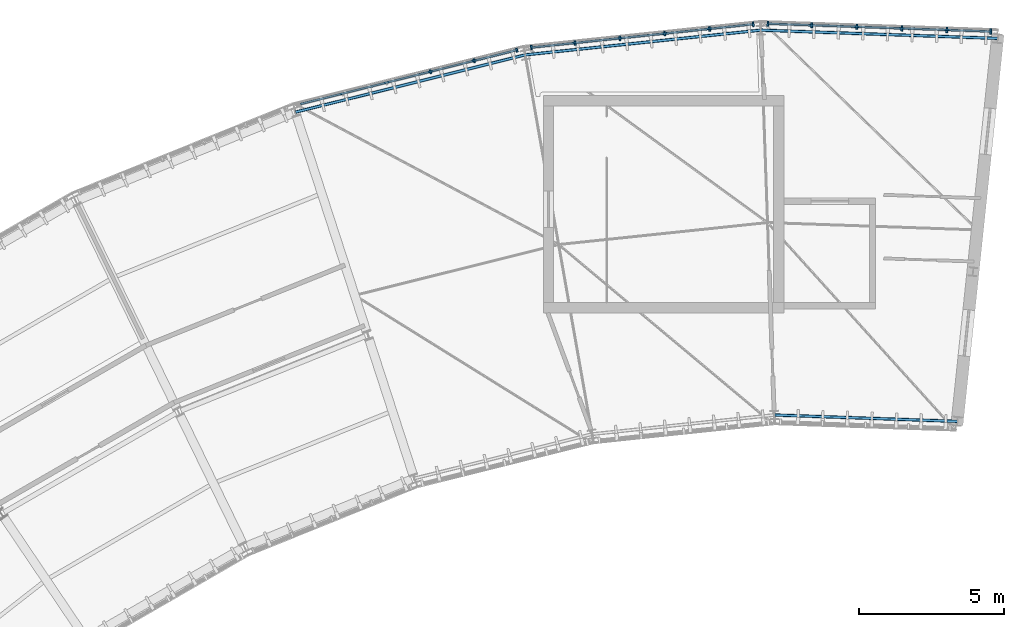
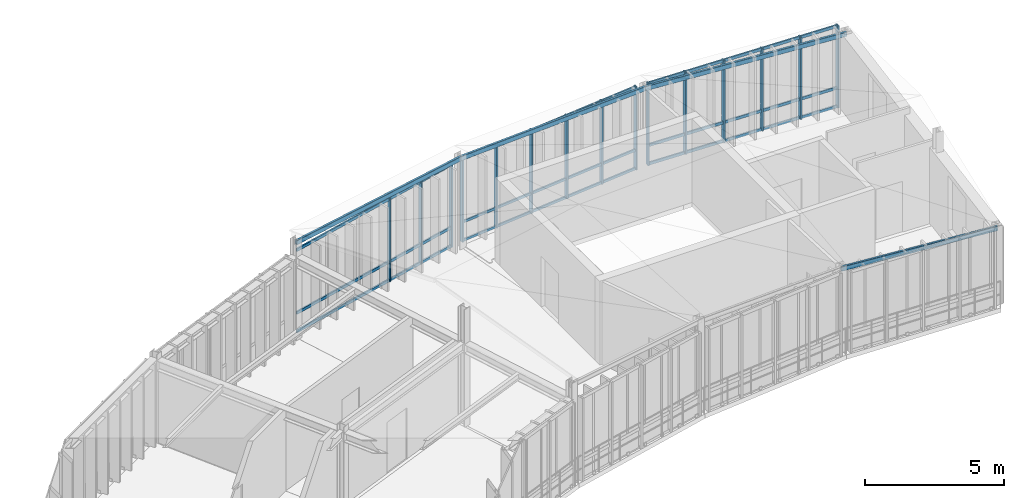
# One storey, part 15 of 42: 28 members, 3 elements without a shape of their own.
"""IFC4 building model written with IfcOpenShell, lengths in metres."""

from ifc_helpers import new_model, si_unit, direction, frame, origin, origin_2d, place, context, subcontext, project, spatial, rectangle, hollow_rectangle, extrude, material, layer, layer_set, material_profile, profile_set, type_object, element, aggregate, save


model = new_model("IFC4")

# Units and contexts
model_context = context("Model", 3, precision=1e-05, world=origin(), true_north=direction((0.0, 1.0)))
body_context = subcontext(model_context, "Body", "Model", "MODEL_VIEW")
ifc_project = project(units=[si_unit("LENGTHUNIT", "METRE"), si_unit("AREAUNIT", "SQUARE_METRE"), si_unit("VOLUMEUNIT", "CUBIC_METRE"), si_unit("PLANEANGLEUNIT", "RADIAN"), si_unit("MASSUNIT", "GRAM", prefix="KILO"), si_unit("THERMODYNAMICTEMPERATUREUNIT", "KELVIN"), si_unit("POWERUNIT", "WATT")], contexts=[model_context])

# Site, building, storey
site_placement = place(None, origin())
site = spatial("IfcSite", under=ifc_project, at=site_placement, CompositionType="ELEMENT")
building_placement = place(site_placement, origin())
building = spatial("IfcBuilding", under=site, at=building_placement, Name="Solvatero Civic Police Headquarters", CompositionType="ELEMENT")
storey_placement = place(building_placement, frame((0.0, 0.0, 21.60009765625)))
storey = spatial("IfcBuildingStorey", under=building, at=storey_placement, Name="L05", CompositionType="ELEMENT", Elevation=21.60009765625)

# Curtain wall, members
ifc_material_1 = material(Name="Anodized Bronze Aluminium", Category="aluminium")
ifc_layer = layer(ifc_material_1, 0.179931640625)
ifc_layer_set = layer_set([ifc_layer], Name="Anodized Bronze Aluminium")
curtain_wall_type = type_object("IfcCurtainWallType", Name="CW-ARC-OUT", PredefinedType="USERDEFINED", material=ifc_layer_set)
curtain_wall_1_placement = place(storey_placement, origin())
curtain_wall_1 = element("IfcCurtainWall", 1, at=curtain_wall_1_placement, inside=storey, type_object=curtain_wall_type, Name="Curtain Wall CW-R2-L05-ARC-OUT-B03", ObjectType="UNITISED", PredefinedType="USERDEFINED")
ifc_material_profile_1 = material_profile(ifc_material_1, rectangle(XDim=0.06005859375, YDim=0.139892578125, at=origin_2d()), Name="ALU MULLION 60x140")
ifc_profile_set_1 = profile_set([ifc_material_profile_1], Name="Anodized Bronze Aluminium")
member_type_1 = type_object("IfcMemberType", Name="CWM-160x65", PredefinedType="MULLION", material=ifc_profile_set_1)
member_1_placement = place(storey_placement, frame((83.527099609375, 83.923583984375, 0.0), z_axis=(0.0, 0.0, 1.0), x_axis=(-0.970295726276, -0.2419218956, 0.0)))
member_1 = element("IfcMember", 2, at=member_1_placement, type_object=member_type_1, Name="CW-R2-L05-ARC-OUT-B03 Mullion 1", PredefinedType="MULLION", context=body_context, shape_type="SweptSolid", body=[
    extrude(rectangle(XDim=0.06005859375, YDim=0.139892578125, at=origin_2d()), origin(), (0.0, 0.0, 1.0), 3.639892578125),
])
member_2_placement = place(storey_placement, frame((82.0537109375, 83.55615234375, 0.0), z_axis=(0.0, 0.0, 1.0), x_axis=(-0.970295726276, -0.2419218956, 0.0)))
member_2 = element("IfcMember", 3, at=member_2_placement, type_object=member_type_1, Name="CW-R2-L05-ARC-OUT-B03 Mullion 2", PredefinedType="MULLION", context=body_context, shape_type="SweptSolid", body=[
    extrude(rectangle(XDim=0.06005859375, YDim=0.139892578125, at=origin_2d()), origin(), (0.0, 0.0, 1.0), 3.639892578125),
])
member_3_placement = place(storey_placement, frame((80.54150390625, 83.17919921875, 0.0), z_axis=(0.0, 0.0, 1.0), x_axis=(-0.970295726276, -0.2419218956, 0.0)))
member_3 = element("IfcMember", 4, at=member_3_placement, type_object=member_type_1, Name="CW-R2-L05-ARC-OUT-B03 Mullion 3", PredefinedType="MULLION", context=body_context, shape_type="SweptSolid", body=[
    extrude(rectangle(XDim=0.06005859375, YDim=0.139892578125, at=origin_2d()), origin(), (0.0, 0.0, 1.0), 3.639892578125),
])

curtain_wall_2_placement = place(storey_placement, origin())
curtain_wall_2 = element("IfcCurtainWall", 5, at=curtain_wall_2_placement, inside=storey, type_object=curtain_wall_type, Name="Curtain Wall CW-R2-L05-ARC-OUT-B02", ObjectType="UNITISED", PredefinedType="USERDEFINED")
ifc_material_profile_2 = material_profile(ifc_material_1, rectangle(XDim=0.06005859375, YDim=0.159912109375, at=origin_2d()), Name="ALU MULLION 60x160")
ifc_profile_set_2 = profile_set([ifc_material_profile_2], Name="Anodized Bronze Aluminium")
member_type_2 = type_object("IfcMemberType", Name="CWM-180x70", PredefinedType="MULLION", material=ifc_profile_set_2)
member_4_placement = place(storey_placement, frame((91.6904296875, 84.8173828125, 0.0), z_axis=(0.0, 0.0, 1.0), x_axis=(-0.994523719583, -0.10451110557, 0.0)))
member_4 = element("IfcMember", 6, at=member_4_placement, type_object=member_type_2, Name="CW-R2-L05-ARC-OUT-B02 Mullion 1", PredefinedType="MULLION", context=body_context, shape_type="SweptSolid", body=[
    extrude(rectangle(XDim=0.06005859375, YDim=0.159912109375, at=origin_2d()), origin(), (0.0, 0.0, 1.0), 3.639892578125),
])
member_5_placement = place(storey_placement, frame((90.18212890625, 84.65869140625, 0.0), z_axis=(0.0, 0.0, 1.0), x_axis=(-0.994523719583, -0.10451110557, 0.0)))
member_5 = element("IfcMember", 7, at=member_5_placement, type_object=member_type_2, Name="CW-R2-L05-ARC-OUT-B02 Mullion 2", PredefinedType="MULLION", context=body_context, shape_type="SweptSolid", body=[
    extrude(rectangle(XDim=0.06005859375, YDim=0.159912109375, at=origin_2d()), origin(), (0.0, 0.0, 1.0), 3.639892578125),
])
member_6_placement = place(storey_placement, frame((88.63427734375, 84.49609375, 0.0), z_axis=(0.0, 0.0, 1.0), x_axis=(-0.994523719583, -0.10451110557, 0.0)))
member_6 = element("IfcMember", 8, at=member_6_placement, type_object=member_type_2, Name="CW-R2-L05-ARC-OUT-B02 Mullion 3", PredefinedType="MULLION", context=body_context, shape_type="SweptSolid", body=[
    extrude(rectangle(XDim=0.06005859375, YDim=0.159912109375, at=origin_2d()), origin(), (0.0, 0.0, 1.0), 3.639892578125),
])
member_7_placement = place(storey_placement, frame((87.086181640625, 84.33349609375, 0.0), z_axis=(0.0, 0.0, 1.0), x_axis=(-0.994523719583, -0.10451110557, 0.0)))
member_7 = element("IfcMember", 9, at=member_7_placement, type_object=member_type_2, Name="CW-R2-L05-ARC-OUT-B02 Mullion 4", PredefinedType="MULLION", context=body_context, shape_type="SweptSolid", body=[
    extrude(rectangle(XDim=0.06005859375, YDim=0.159912109375, at=origin_2d()), origin(), (0.0, 0.0, 1.0), 3.639892578125),
])
member_8_placement = place(storey_placement, frame((85.538330078125, 84.170654296875, 0.0), z_axis=(0.0, 0.0, 1.0), x_axis=(-0.994523719583, -0.10451110557, 0.0)))
member_8 = element("IfcMember", 10, at=member_8_placement, type_object=member_type_2, Name="CW-R2-L05-ARC-OUT-B02 Mullion 5", PredefinedType="MULLION", context=body_context, shape_type="SweptSolid", body=[
    extrude(rectangle(XDim=0.06005859375, YDim=0.159912109375, at=origin_2d()), origin(), (0.0, 0.0, 1.0), 3.639892578125),
])
member_9_placement = place(storey_placement, frame((84.0302734375, 84.01220703125, 0.0), z_axis=(0.0, 0.0, 1.0), x_axis=(-0.994523719583, -0.10451110557, 0.0)))
member_9 = element("IfcMember", 11, at=member_9_placement, type_object=member_type_2, Name="CW-R2-L05-ARC-OUT-B02 Mullion 6", PredefinedType="MULLION", context=body_context, shape_type="SweptSolid", body=[
    extrude(rectangle(XDim=0.06005859375, YDim=0.159912109375, at=origin_2d()), origin(), (0.0, 0.0, 1.0), 3.639892578125),
])

curtain_wall_3_placement = place(storey_placement, origin())
curtain_wall_3 = element("IfcCurtainWall", 12, at=curtain_wall_3_placement, inside=storey, type_object=curtain_wall_type, Name="Curtain Wall CW-R2-L05-ARC-OUT-B01", ObjectType="UNITISED", PredefinedType="USERDEFINED")
ifc_material_profile_3 = material_profile(ifc_material_1, rectangle(XDim=0.06494140625, YDim=0.179931640625, at=origin_2d()), Name="ALU MULLION 65x180")
ifc_profile_set_3 = profile_set([ifc_material_profile_3], Name="Anodized Bronze Aluminium")
member_type_3 = type_object("IfcMemberType", Name="CWM-200x75", PredefinedType="MULLION", material=ifc_profile_set_3)
member_10_placement = place(storey_placement, frame((99.898681640625, 84.56640625, 0.0), z_axis=(0.0, 0.0, 1.0), x_axis=(-0.999390217756, 0.034916939358, 0.0)))
member_10 = element("IfcMember", 13, at=member_10_placement, type_object=member_type_3, Name="CW-R2-L05-ARC-OUT-B01 Mullion 1", PredefinedType="MULLION", context=body_context, shape_type="SweptSolid", body=[
    extrude(rectangle(XDim=0.06494140625, YDim=0.179931640625, at=origin_2d()), origin(), (0.0, 0.0, 1.0), 3.590576171875),
])
member_11_placement = place(storey_placement, frame((98.38330078125, 84.619140625, 0.0), z_axis=(0.0, 0.0, 1.0), x_axis=(-0.999390217756, 0.034916939358, 0.0)))
member_11 = element("IfcMember", 14, at=member_11_placement, type_object=member_type_3, Name="CW-R2-L05-ARC-OUT-B01 Mullion 2", PredefinedType="MULLION", context=body_context, shape_type="SweptSolid", body=[
    extrude(rectangle(XDim=0.06494140625, YDim=0.179931640625, at=origin_2d()), origin(), (0.0, 0.0, 1.0), 3.590576171875),
])
member_12_placement = place(storey_placement, frame((96.82763671875, 84.673583984375, 0.0), z_axis=(0.0, 0.0, 1.0), x_axis=(-0.999390217756, 0.034916939358, 0.0)))
member_12 = element("IfcMember", 15, at=member_12_placement, type_object=member_type_3, Name="CW-R2-L05-ARC-OUT-B01 Mullion 3", PredefinedType="MULLION", context=body_context, shape_type="SweptSolid", body=[
    extrude(rectangle(XDim=0.06494140625, YDim=0.179931640625, at=origin_2d()), origin(), (0.0, 0.0, 1.0), 3.590576171875),
])
member_13_placement = place(storey_placement, frame((95.272216796875, 84.727783203125, 0.0), z_axis=(0.0, 0.0, 1.0), x_axis=(-0.999390217756, 0.034916939358, 0.0)))
member_13 = element("IfcMember", 16, at=member_13_placement, type_object=member_type_3, Name="CW-R2-L05-ARC-OUT-B01 Mullion 4", PredefinedType="MULLION", context=body_context, shape_type="SweptSolid", body=[
    extrude(rectangle(XDim=0.06494140625, YDim=0.179931640625, at=origin_2d()), origin(), (0.0, 0.0, 1.0), 3.590576171875),
])
member_14_placement = place(storey_placement, frame((93.716552734375, 84.7822265625, 0.0), z_axis=(0.0, 0.0, 1.0), x_axis=(-0.999390217756, 0.034916939358, 0.0)))
member_14 = element("IfcMember", 17, at=member_14_placement, type_object=member_type_3, Name="CW-R2-L05-ARC-OUT-B01 Mullion 5", PredefinedType="MULLION", context=body_context, shape_type="SweptSolid", body=[
    extrude(rectangle(XDim=0.06494140625, YDim=0.179931640625, at=origin_2d()), origin(), (0.0, 0.0, 1.0), 3.590576171875),
])
member_15_placement = place(storey_placement, frame((92.200927734375, 84.835205078125, 0.0), z_axis=(0.0, 0.0, 1.0), x_axis=(-0.999390217756, 0.034916939358, 0.0)))
member_15 = element("IfcMember", 18, at=member_15_placement, type_object=member_type_3, Name="CW-R2-L05-ARC-OUT-B01 Mullion 6", PredefinedType="MULLION", context=body_context, shape_type="SweptSolid", body=[
    extrude(rectangle(XDim=0.06494140625, YDim=0.179931640625, at=origin_2d()), origin(), (0.0, 0.0, 1.0), 3.590576171875),
])

# Member
ifc_material_profile_4 = material_profile(ifc_material_1, rectangle(XDim=0.06005859375, YDim=0.110107421875, at=origin_2d()), Name="ALU TRANSOM 60x110")
ifc_profile_set_4 = profile_set([ifc_material_profile_4], Name="Anodized Bronze Aluminium")
member_type_4 = type_object("IfcMemberType", Name="CWT-140x60", PredefinedType="USERDEFINED", material=ifc_profile_set_4)
member_16_placement = place(storey_placement, frame((91.680419921875, 84.81640625, 0.039794921875), z_axis=(-0.994519374575, -0.104552444236, 0.0), x_axis=(0.104552444236, -0.994519374575, 0.0)))
member_16 = element("IfcMember", 19, at=member_16_placement, type_object=member_type_4, Name="CW-R2-L05-ARC-OUT-B02 Transom 1", ObjectType="TRANSOM", PredefinedType="USERDEFINED", context=body_context, shape_type="SweptSolid", body=[
    extrude(rectangle(XDim=0.06005859375, YDim=0.110107421875, at=origin_2d()), origin(), (0.0, 0.0, 1.0), 7.682373046875),
])

member_17_placement = place(storey_placement, frame((91.680419921875, 84.81640625, 0.849853515625), z_axis=(-0.994519374575, -0.104552444236, 0.0), x_axis=(0.104552444236, -0.994519374575, 0.0)))
member_17 = element("IfcMember", 20, at=member_17_placement, type_object=member_type_4, Name="CW-R2-L05-ARC-OUT-B02 Transom 2", ObjectType="TRANSOM", PredefinedType="USERDEFINED", context=body_context, shape_type="SweptSolid", body=[
    extrude(rectangle(XDim=0.06005859375, YDim=0.110107421875, at=origin_2d()), origin(), (0.0, 0.0, 1.0), 7.682373046875),
])

member_18_placement = place(storey_placement, frame((91.680419921875, 84.81640625, 3.599853515625), z_axis=(-0.994519374575, -0.104552444236, 0.0), x_axis=(0.104552444236, -0.994519374575, 0.0)))
member_18 = element("IfcMember", 21, at=member_18_placement, type_object=member_type_4, Name="CW-R2-L05-ARC-OUT-B02 Transom 3", ObjectType="TRANSOM", PredefinedType="USERDEFINED", context=body_context, shape_type="SweptSolid", body=[
    extrude(rectangle(XDim=0.06005859375, YDim=0.110107421875, at=origin_2d()), origin(), (0.0, 0.0, 1.0), 7.682373046875),
])

aggregate(curtain_wall_2, [member_4, member_5, member_6, member_7, member_8, member_9, member_16, member_17, member_18])

ifc_material_profile_5 = material_profile(ifc_material_1, rectangle(XDim=0.06005859375, YDim=0.125, at=origin_2d()), Name="ALU TRANSOM 60x125")
ifc_profile_set_5 = profile_set([ifc_material_profile_5], Name="Anodized Bronze Aluminium")
member_type_5 = type_object("IfcMemberType", Name="CWT-160x65", PredefinedType="USERDEFINED", material=ifc_profile_set_5)
member_19_placement = place(storey_placement, frame((99.888671875, 84.566650390625, 0.039794921875), z_axis=(-0.999389927064, 0.034925258517, 0.0), x_axis=(-0.034925258517, -0.999389927064, 0.0)))
member_19 = element("IfcMember", 22, at=member_19_placement, type_object=member_type_5, Name="CW-R2-L05-ARC-OUT-B01 Transom 1", ObjectType="TRANSOM", PredefinedType="USERDEFINED", context=body_context, shape_type="SweptSolid", body=[
    extrude(rectangle(XDim=0.06005859375, YDim=0.125, at=origin_2d()), origin(), (0.0, 0.0, 1.0), 7.682373046875),
])

member_20_placement = place(storey_placement, frame((99.888671875, 84.566650390625, 0.849853515625), z_axis=(-0.999389927064, 0.034925258517, 0.0), x_axis=(-0.034925258517, -0.999389927064, 0.0)))
member_20 = element("IfcMember", 23, at=member_20_placement, type_object=member_type_5, Name="CW-R2-L05-ARC-OUT-B01 Transom 2", ObjectType="TRANSOM", PredefinedType="USERDEFINED", context=body_context, shape_type="SweptSolid", body=[
    extrude(rectangle(XDim=0.06005859375, YDim=0.125, at=origin_2d()), origin(), (0.0, 0.0, 1.0), 7.682373046875),
])

member_21_placement = place(storey_placement, frame((99.888671875, 84.566650390625, 3.550537109375), z_axis=(-0.999389927064, 0.034925258517, 0.0), x_axis=(-0.034925258517, -0.999389927064, 0.0)))
member_21 = element("IfcMember", 24, at=member_21_placement, type_object=member_type_5, Name="CW-R2-L05-ARC-OUT-B01 Transom 3", ObjectType="TRANSOM", PredefinedType="USERDEFINED", context=body_context, shape_type="SweptSolid", body=[
    extrude(rectangle(XDim=0.06005859375, YDim=0.125, at=origin_2d()), origin(), (0.0, 0.0, 1.0), 7.682373046875),
])

aggregate(curtain_wall_3, [member_10, member_11, member_12, member_13, member_14, member_15, member_19, member_20, member_21])

member_22_placement = place(storey_placement, frame((83.517333984375, 83.921142578125, 0.039794921875), z_axis=(-0.970297263814, -0.241915728788, 0.0), x_axis=(0.241915728788, -0.970297263814, 0.0)))
member_22 = element("IfcMember", 25, at=member_22_placement, type_object=member_type_5, Name="CW-R2-L05-ARC-OUT-B03 Transom 1", ObjectType="TRANSOM", PredefinedType="USERDEFINED", context=body_context, shape_type="SweptSolid", body=[
    extrude(rectangle(XDim=0.06005859375, YDim=0.125, at=origin_2d()), origin(), (0.0, 0.0, 1.0), 7.692138671875),
])

member_23_placement = place(storey_placement, frame((83.517333984375, 83.921142578125, 0.849853515625), z_axis=(-0.970297263814, -0.241915728788, 0.0), x_axis=(0.241915728788, -0.970297263814, 0.0)))
member_23 = element("IfcMember", 26, at=member_23_placement, type_object=member_type_5, Name="CW-R2-L05-ARC-OUT-B03 Transom 2", ObjectType="TRANSOM", PredefinedType="USERDEFINED", context=body_context, shape_type="SweptSolid", body=[
    extrude(rectangle(XDim=0.06005859375, YDim=0.125, at=origin_2d()), origin(), (0.0, 0.0, 1.0), 7.692138671875),
])

member_24_placement = place(storey_placement, frame((83.517333984375, 83.921142578125, 3.599853515625), z_axis=(-0.970297263814, -0.241915728788, 0.0), x_axis=(0.241915728788, -0.970297263814, 0.0)))
member_24 = element("IfcMember", 27, at=member_24_placement, type_object=member_type_5, Name="CW-R2-L05-ARC-OUT-B03 Transom 3", ObjectType="TRANSOM", PredefinedType="USERDEFINED", context=body_context, shape_type="SweptSolid", body=[
    extrude(rectangle(XDim=0.06005859375, YDim=0.125, at=origin_2d()), origin(), (0.0, 0.0, 1.0), 7.692138671875),
])

aggregate(curtain_wall_1, [member_1, member_2, member_3, member_22, member_23, member_24])

# Members
ifc_material_2 = material(Name="Steel S355", Category="steel")
ifc_material_profile_6 = material_profile(ifc_material_2, hollow_rectangle(XDim=0.10009765625, YDim=0.199951171875, WallThickness=0.008056640625, InnerFilletRadius=0.008056640625, OuterFilletRadius=0.01611328125, at=origin_2d()), Name="RHS 200x100x8.0")
ifc_profile_set_6 = profile_set([ifc_material_profile_6], Name="Steel S355")
member_type_6 = type_object("IfcMemberType", Name="MB-BR-RHS200", PredefinedType="BRACE", material=ifc_profile_set_6)
member_25_placement = place(storey_placement, frame((98.740478515625, 71.1015625, 3.27001953125), z_axis=(-0.998270022634, 0.034881635926, 0.047331103776), x_axis=(-0.034920773198, -0.999390083801, 0.0)))
element("IfcMember", 28, at=member_25_placement, inside=storey, type_object=member_type_6, Name="Arc Roof Purlin B1 EIN", PredefinedType="BRACE", context=body_context, shape_type="SweptSolid", body=[
    extrude(hollow_rectangle(XDim=0.10009765625, YDim=0.199951171875, WallThickness=0.008056640625, InnerFilletRadius=0.008056640625, OuterFilletRadius=0.01611328125, at=origin_2d()), origin(), (0.0, 0.0, 1.0), 6.334228515625),
])
for number, where, z_axis, x_axis, name in (
    (29, (100.130615234375, 84.32861328125, 3.27001953125), (-0.998720329562, 0.034885887016, 0.036615272868), (-0.03490929593, -0.999390484774, 0.0), "Arc Roof Purlin B1 EOUT"),
    (30, (91.953125, 84.6142578125, 3.56982421875), (-0.993854961273, -0.104448395816, 0.036644898218), (0.104518595714, -0.99452293244, 0.0), "Arc Roof Purlin B2 EOUT"),
):
    element("IfcMember", number, at=place(storey_placement, frame(where, z_axis=z_axis, x_axis=x_axis)), inside=storey, type_object=member_type_6, Name=name, PredefinedType="BRACE", context=body_context, shape_type="SweptSolid", body=[
        extrude(hollow_rectangle(XDim=0.10009765625, YDim=0.199951171875, WallThickness=0.008056640625, InnerFilletRadius=0.008056640625, OuterFilletRadius=0.01611328125, at=origin_2d()), origin(), (0.0, 0.0, 1.0), 8.18798828125),
    ])
member_26_placement = place(storey_placement, frame((83.8154296875, 83.759033203125, 3.869873046875), z_axis=(-0.969643269112, -0.241762281311, 0.03664600934), x_axis=(0.241924779908, -0.970295007133, 0.0)))
element("IfcMember", 31, at=member_26_placement, inside=storey, type_object=member_type_6, Name="Arc Roof Purlin B3 EOUT", PredefinedType="BRACE", context=body_context, shape_type="SweptSolid", body=[
    extrude(hollow_rectangle(XDim=0.10009765625, YDim=0.199951171875, WallThickness=0.008056640625, InnerFilletRadius=0.008056640625, OuterFilletRadius=0.01611328125, at=origin_2d()), origin(), (0.0, 0.0, 1.0), 8.187744140625),
])

save(model, "model.ifc")
